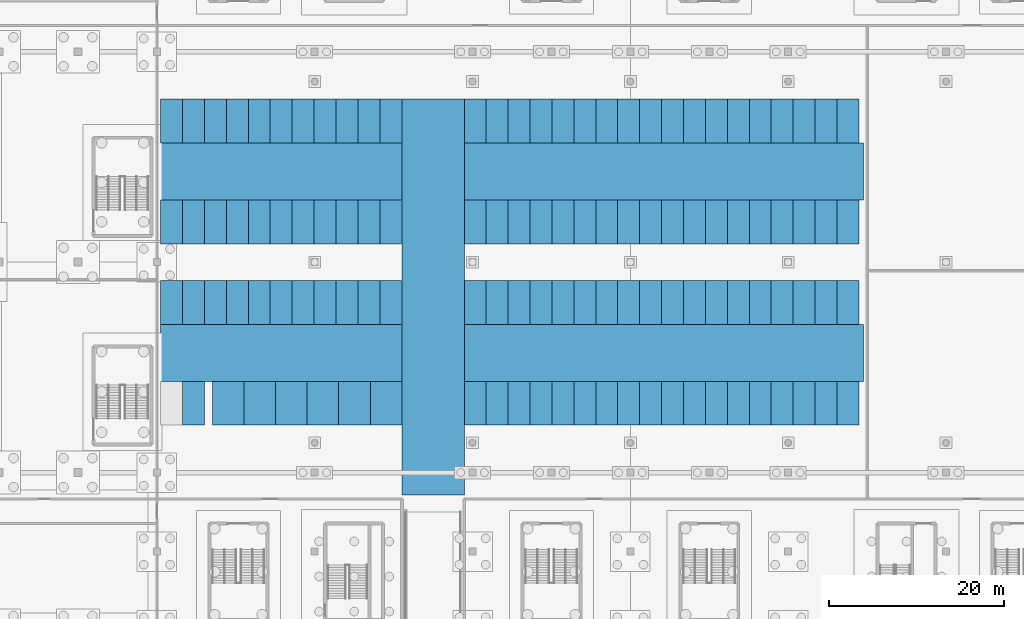
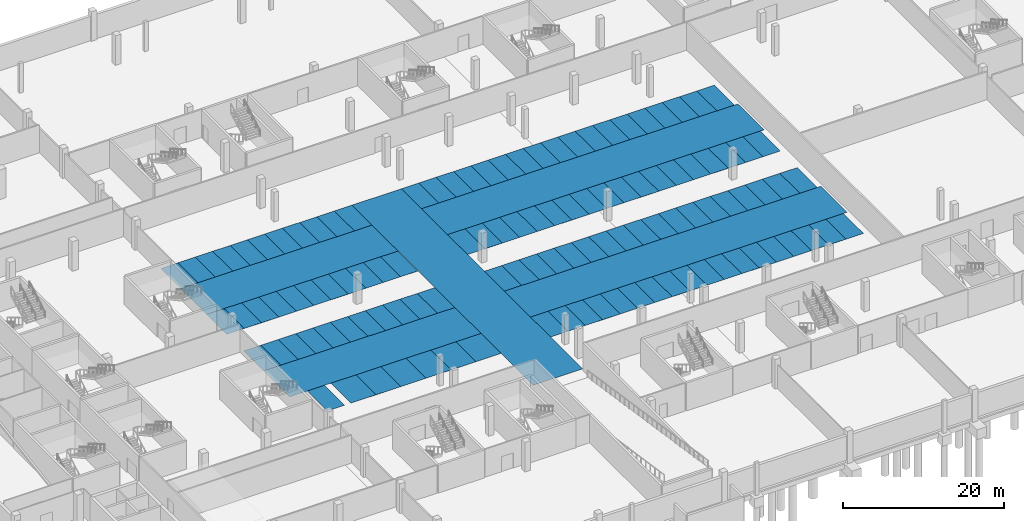
# One storey, part 27 of 46: 117 discrete accessories.
"""IFC4 building model written with IfcOpenShell, lengths in metres."""

from ifc_helpers import new_model, si_unit, direction, frame, origin, origin_2d, place, context, subcontext, project, spatial, rectangle, extrude, material, layer, layer_set, type_object, element, save


model = new_model("IFC4")

# Units and contexts
model_context = context("Model", 3, precision=1e-05, world=origin(), true_north=direction((0.0, 1.0)))
body_context = subcontext(model_context, "Body", "Model", "MODEL_VIEW")
ifc_project = project(units=[si_unit("LENGTHUNIT", "METRE"), si_unit("AREAUNIT", "SQUARE_METRE"), si_unit("VOLUMEUNIT", "CUBIC_METRE"), si_unit("PLANEANGLEUNIT", "RADIAN"), si_unit("MASSUNIT", "GRAM", prefix="KILO")], contexts=[model_context])

# Site, building, storey
site_placement = place(None, origin())
site = spatial("IfcSite", under=ifc_project, at=site_placement, CompositionType="ELEMENT")
building_placement = place(site_placement, origin())
building = spatial("IfcBuilding", under=site, at=building_placement, Name="Kisiwana Market Hall", CompositionType="ELEMENT")
storey_placement = place(building_placement, frame((0.0, 0.0, -4.5)))
storey = spatial("IfcBuildingStorey", under=building, at=storey_placement, Name="B1", CompositionType="ELEMENT", Elevation=-4.5)

# Discrete accessories
ifc_material_1 = material(Name="Road marking paint")
ifc_layer_1 = layer(ifc_material_1, 0.0048828125)
ifc_layer_set_1 = layer_set([ifc_layer_1], Name="ACC-PARK-AISLE")
discrete_accessory_type_1 = type_object("IfcDiscreteAccessoryType", Name="ACC-PARK-AISLE", PredefinedType="USERDEFINED", material=ifc_layer_set_1)
discrete_accessory_1_placement = place(storey_placement, frame((59.179931640625, 49.66259765625, 0.0), z_axis=(0.0, 0.0, 1.0), x_axis=(1.0, 0.0, 0.0)))
element("IfcDiscreteAccessory", 1, at=discrete_accessory_1_placement, inside=storey, type_object=discrete_accessory_type_1, Name="Car park drive aisle 01", ObjectType="Car park drive aisle", PredefinedType="USERDEFINED", context=body_context, shape_type="SweptSolid", body=[
    extrude(rectangle(XDim=27.52001953125, YDim=6.5, at=origin_2d()), origin(), (0.0, 0.0, 1.0), 0.0048828125),
])
discrete_accessory_2_placement = place(storey_placement, frame((102.820068359375, 49.66259765625, 0.0), z_axis=(0.0, 0.0, 1.0), x_axis=(1.0, 0.0, 0.0)))
element("IfcDiscreteAccessory", 2, at=discrete_accessory_2_placement, inside=storey, type_object=discrete_accessory_type_1, Name="Car park drive aisle 02", ObjectType="Car park drive aisle", PredefinedType="USERDEFINED", context=body_context, shape_type="SweptSolid", body=[
    extrude(rectangle(XDim=45.52001953125, YDim=6.5, at=origin_2d()), origin(), (0.0, 0.0, 1.0), 0.0048828125),
])
discrete_accessory_3_placement = place(storey_placement, frame((59.179931640625, 70.33740234375, 0.0), z_axis=(0.0, 0.0, 1.0), x_axis=(1.0, 0.0, 0.0)))
element("IfcDiscreteAccessory", 3, at=discrete_accessory_3_placement, inside=storey, type_object=discrete_accessory_type_1, Name="Car park drive aisle 03", ObjectType="Car park drive aisle", PredefinedType="USERDEFINED", context=body_context, shape_type="SweptSolid", body=[
    extrude(rectangle(XDim=27.52001953125, YDim=6.5, at=origin_2d()), origin(), (0.0, 0.0, 1.0), 0.0048828125),
])
discrete_accessory_4_placement = place(storey_placement, frame((102.820068359375, 70.33740234375, 0.0), z_axis=(0.0, 0.0, 1.0), x_axis=(1.0, 0.0, 0.0)))
element("IfcDiscreteAccessory", 4, at=discrete_accessory_4_placement, inside=storey, type_object=discrete_accessory_type_1, Name="Car park drive aisle 04", ObjectType="Car park drive aisle", PredefinedType="USERDEFINED", context=body_context, shape_type="SweptSolid", body=[
    extrude(rectangle(XDim=45.52001953125, YDim=6.5, at=origin_2d()), origin(), (0.0, 0.0, 1.0), 0.0048828125),
])
discrete_accessory_5_placement = place(storey_placement, frame((76.5, 56.003662109375, 0.0), z_axis=(0.0, 0.0, 1.0), x_axis=(1.0, 0.0, 0.0)))
element("IfcDiscreteAccessory", 5, at=discrete_accessory_5_placement, inside=storey, type_object=discrete_accessory_type_1, Name="Car park drive aisle 05", ObjectType="Car park drive aisle", PredefinedType="USERDEFINED", context=body_context, shape_type="SweptSolid", body=[
    extrude(rectangle(XDim=7.1201171875, YDim=45.16748046875, at=origin_2d()), origin(), (0.0, 0.0, 1.0), 0.0048828125),
])
ifc_material_2 = material(Name="Road marking paint")
ifc_layer_2 = layer(ifc_material_2, 0.0048828125)
ifc_layer_set_2 = layer_set([ifc_layer_2], Name="ACC-PARK-MARK")
discrete_accessory_type_2 = type_object("IfcDiscreteAccessoryType", Name="ACC-PARK-MARK", PredefinedType="USERDEFINED", material=ifc_layer_set_2)
for number, where, z_axis, x_axis, name in (
    (6, (53.139892578125, 43.91259765625, 0.0), (0.0, 0.0, 1.0), (1.0, 0.0, 0.0), "Accessible parking bay marking 01"),
    (7, (56.739990234375, 43.91259765625, 0.0), (0.0, 0.0, 1.0), (1.0, 0.0, 0.0), "Accessible parking bay marking 02"),
    (8, (60.340087890625, 43.91259765625, 0.0), (0.0, 0.0, 1.0), (1.0, 0.0, 0.0), "Accessible parking bay marking 03"),
    (9, (63.93994140625, 43.91259765625, 0.0), (0.0, 0.0, 1.0), (1.0, 0.0, 0.0), "Accessible parking bay marking 04"),
    (10, (67.5400390625, 43.91259765625, 0.0), (0.0, 0.0, 1.0), (1.0, 0.0, 0.0), "Accessible parking bay marking 05"),
    (11, (71.139892578125, 43.91259765625, 0.0), (0.0, 0.0, 1.0), (1.0, 0.0, 0.0), "Accessible parking bay marking 06"),
):
    element("IfcDiscreteAccessory", number, at=place(storey_placement, frame(where, z_axis=z_axis, x_axis=x_axis)), inside=storey, type_object=discrete_accessory_type_2, Name=name, ObjectType="Parking bay marking", PredefinedType="USERDEFINED", context=body_context, shape_type="SweptSolid", body=[
        extrude(rectangle(XDim=3.60009765625, YDim=5.0, at=origin_2d()), origin(), (0.0, 0.0, 1.0), 0.0048828125),
    ])
for number, where, z_axis, x_axis, name in (
    (12, (49.169921875, 43.91259765625, 0.0), (0.0, 0.0, 1.0), (1.0, 0.0, 0.0), "Parking bay marking 002"),
    (13, (81.31005859375, 43.91259765625, 0.0), (0.0, 0.0, 1.0), (1.0, 0.0, 0.0), "Parking bay marking 003"),
    (14, (83.81005859375, 43.91259765625, 0.0), (0.0, 0.0, 1.0), (1.0, 0.0, 0.0), "Parking bay marking 004"),
    (15, (86.31005859375, 43.91259765625, 0.0), (0.0, 0.0, 1.0), (1.0, 0.0, 0.0), "Parking bay marking 005"),
    (16, (88.81005859375, 43.91259765625, 0.0), (0.0, 0.0, 1.0), (1.0, 0.0, 0.0), "Parking bay marking 006"),
    (17, (91.31005859375, 43.91259765625, 0.0), (0.0, 0.0, 1.0), (1.0, 0.0, 0.0), "Parking bay marking 007"),
    (18, (93.81005859375, 43.91259765625, 0.0), (0.0, 0.0, 1.0), (1.0, 0.0, 0.0), "Parking bay marking 008"),
    (19, (96.31005859375, 43.91259765625, 0.0), (0.0, 0.0, 1.0), (1.0, 0.0, 0.0), "Parking bay marking 009"),
    (20, (98.81005859375, 43.91259765625, 0.0), (0.0, 0.0, 1.0), (1.0, 0.0, 0.0), "Parking bay marking 010"),
    (21, (101.31005859375, 43.91259765625, 0.0), (0.0, 0.0, 1.0), (1.0, 0.0, 0.0), "Parking bay marking 011"),
    (22, (103.81005859375, 43.91259765625, 0.0), (0.0, 0.0, 1.0), (1.0, 0.0, 0.0), "Parking bay marking 012"),
    (23, (106.31005859375, 43.91259765625, 0.0), (0.0, 0.0, 1.0), (1.0, 0.0, 0.0), "Parking bay marking 013"),
    (24, (108.81005859375, 43.91259765625, 0.0), (0.0, 0.0, 1.0), (1.0, 0.0, 0.0), "Parking bay marking 014"),
    (25, (111.31005859375, 43.91259765625, 0.0), (0.0, 0.0, 1.0), (1.0, 0.0, 0.0), "Parking bay marking 015"),
    (26, (113.81005859375, 43.91259765625, 0.0), (0.0, 0.0, 1.0), (1.0, 0.0, 0.0), "Parking bay marking 016"),
    (27, (116.31005859375, 43.91259765625, 0.0), (0.0, 0.0, 1.0), (1.0, 0.0, 0.0), "Parking bay marking 017"),
    (28, (118.81005859375, 43.91259765625, 0.0), (0.0, 0.0, 1.0), (1.0, 0.0, 0.0), "Parking bay marking 018"),
    (29, (121.31005859375, 43.91259765625, 0.0), (0.0, 0.0, 1.0), (1.0, 0.0, 0.0), "Parking bay marking 019"),
    (30, (123.81005859375, 43.91259765625, 0.0), (0.0, 0.0, 1.0), (1.0, 0.0, 0.0), "Parking bay marking 020"),
    (31, (46.669921875, 55.41259765625, 0.0), (0.0, 0.0, 1.0), (1.0, 0.0, 0.0), "Parking bay marking 021"),
    (32, (49.169921875, 55.41259765625, 0.0), (0.0, 0.0, 1.0), (1.0, 0.0, 0.0), "Parking bay marking 022"),
    (33, (51.669921875, 55.41259765625, 0.0), (0.0, 0.0, 1.0), (1.0, 0.0, 0.0), "Parking bay marking 023"),
    (34, (54.169921875, 55.41259765625, 0.0), (0.0, 0.0, 1.0), (1.0, 0.0, 0.0), "Parking bay marking 024"),
    (35, (56.669921875, 55.41259765625, 0.0), (0.0, 0.0, 1.0), (1.0, 0.0, 0.0), "Parking bay marking 025"),
    (36, (59.169921875, 55.41259765625, 0.0), (0.0, 0.0, 1.0), (1.0, 0.0, 0.0), "Parking bay marking 026"),
    (37, (61.669921875, 55.41259765625, 0.0), (0.0, 0.0, 1.0), (1.0, 0.0, 0.0), "Parking bay marking 027"),
    (38, (64.169921875, 55.41259765625, 0.0), (0.0, 0.0, 1.0), (1.0, 0.0, 0.0), "Parking bay marking 028"),
    (39, (66.669921875, 55.41259765625, 0.0), (0.0, 0.0, 1.0), (1.0, 0.0, 0.0), "Parking bay marking 029"),
    (40, (69.169921875, 55.41259765625, 0.0), (0.0, 0.0, 1.0), (1.0, 0.0, 0.0), "Parking bay marking 030"),
    (41, (71.669921875, 55.41259765625, 0.0), (0.0, 0.0, 1.0), (1.0, 0.0, 0.0), "Parking bay marking 031"),
    (42, (81.31005859375, 55.41259765625, 0.0), (0.0, 0.0, 1.0), (1.0, 0.0, 0.0), "Parking bay marking 032"),
    (43, (83.81005859375, 55.41259765625, 0.0), (0.0, 0.0, 1.0), (1.0, 0.0, 0.0), "Parking bay marking 033"),
    (44, (86.31005859375, 55.41259765625, 0.0), (0.0, 0.0, 1.0), (1.0, 0.0, 0.0), "Parking bay marking 034"),
    (45, (88.81005859375, 55.41259765625, 0.0), (0.0, 0.0, 1.0), (1.0, 0.0, 0.0), "Parking bay marking 035"),
    (46, (91.31005859375, 55.41259765625, 0.0), (0.0, 0.0, 1.0), (1.0, 0.0, 0.0), "Parking bay marking 036"),
    (47, (93.81005859375, 55.41259765625, 0.0), (0.0, 0.0, 1.0), (1.0, 0.0, 0.0), "Parking bay marking 037"),
    (48, (96.31005859375, 55.41259765625, 0.0), (0.0, 0.0, 1.0), (1.0, 0.0, 0.0), "Parking bay marking 038"),
    (49, (98.81005859375, 55.41259765625, 0.0), (0.0, 0.0, 1.0), (1.0, 0.0, 0.0), "Parking bay marking 039"),
    (50, (101.31005859375, 55.41259765625, 0.0), (0.0, 0.0, 1.0), (1.0, 0.0, 0.0), "Parking bay marking 040"),
    (51, (103.81005859375, 55.41259765625, 0.0), (0.0, 0.0, 1.0), (1.0, 0.0, 0.0), "Parking bay marking 041"),
    (52, (106.31005859375, 55.41259765625, 0.0), (0.0, 0.0, 1.0), (1.0, 0.0, 0.0), "Parking bay marking 042"),
    (53, (108.81005859375, 55.41259765625, 0.0), (0.0, 0.0, 1.0), (1.0, 0.0, 0.0), "Parking bay marking 043"),
    (54, (111.31005859375, 55.41259765625, 0.0), (0.0, 0.0, 1.0), (1.0, 0.0, 0.0), "Parking bay marking 044"),
    (55, (113.81005859375, 55.41259765625, 0.0), (0.0, 0.0, 1.0), (1.0, 0.0, 0.0), "Parking bay marking 045"),
    (56, (116.31005859375, 55.41259765625, 0.0), (0.0, 0.0, 1.0), (1.0, 0.0, 0.0), "Parking bay marking 046"),
    (57, (118.81005859375, 55.41259765625, 0.0), (0.0, 0.0, 1.0), (1.0, 0.0, 0.0), "Parking bay marking 047"),
    (58, (121.31005859375, 55.41259765625, 0.0), (0.0, 0.0, 1.0), (1.0, 0.0, 0.0), "Parking bay marking 048"),
    (59, (123.81005859375, 55.41259765625, 0.0), (0.0, 0.0, 1.0), (1.0, 0.0, 0.0), "Parking bay marking 049"),
    (60, (46.669921875, 64.58740234375, 0.0), (0.0, 0.0, 1.0), (1.0, 0.0, 0.0), "Parking bay marking 050"),
    (61, (49.169921875, 64.58740234375, 0.0), (0.0, 0.0, 1.0), (1.0, 0.0, 0.0), "Parking bay marking 051"),
    (62, (51.669921875, 64.58740234375, 0.0), (0.0, 0.0, 1.0), (1.0, 0.0, 0.0), "Parking bay marking 052"),
    (63, (54.169921875, 64.58740234375, 0.0), (0.0, 0.0, 1.0), (1.0, 0.0, 0.0), "Parking bay marking 053"),
    (64, (56.669921875, 64.58740234375, 0.0), (0.0, 0.0, 1.0), (1.0, 0.0, 0.0), "Parking bay marking 054"),
    (65, (59.169921875, 64.58740234375, 0.0), (0.0, 0.0, 1.0), (1.0, 0.0, 0.0), "Parking bay marking 055"),
    (66, (61.669921875, 64.58740234375, 0.0), (0.0, 0.0, 1.0), (1.0, 0.0, 0.0), "Parking bay marking 056"),
    (67, (64.169921875, 64.58740234375, 0.0), (0.0, 0.0, 1.0), (1.0, 0.0, 0.0), "Parking bay marking 057"),
    (68, (66.669921875, 64.58740234375, 0.0), (0.0, 0.0, 1.0), (1.0, 0.0, 0.0), "Parking bay marking 058"),
    (69, (69.169921875, 64.58740234375, 0.0), (0.0, 0.0, 1.0), (1.0, 0.0, 0.0), "Parking bay marking 059"),
    (70, (71.669921875, 64.58740234375, 0.0), (0.0, 0.0, 1.0), (1.0, 0.0, 0.0), "Parking bay marking 060"),
    (71, (81.31005859375, 64.58740234375, 0.0), (0.0, 0.0, 1.0), (1.0, 0.0, 0.0), "Parking bay marking 061"),
    (72, (83.81005859375, 64.58740234375, 0.0), (0.0, 0.0, 1.0), (1.0, 0.0, 0.0), "Parking bay marking 062"),
    (73, (86.31005859375, 64.58740234375, 0.0), (0.0, 0.0, 1.0), (1.0, 0.0, 0.0), "Parking bay marking 063"),
    (74, (88.81005859375, 64.58740234375, 0.0), (0.0, 0.0, 1.0), (1.0, 0.0, 0.0), "Parking bay marking 064"),
    (75, (91.31005859375, 64.58740234375, 0.0), (0.0, 0.0, 1.0), (1.0, 0.0, 0.0), "Parking bay marking 065"),
    (76, (93.81005859375, 64.58740234375, 0.0), (0.0, 0.0, 1.0), (1.0, 0.0, 0.0), "Parking bay marking 066"),
    (77, (96.31005859375, 64.58740234375, 0.0), (0.0, 0.0, 1.0), (1.0, 0.0, 0.0), "Parking bay marking 067"),
    (78, (98.81005859375, 64.58740234375, 0.0), (0.0, 0.0, 1.0), (1.0, 0.0, 0.0), "Parking bay marking 068"),
    (79, (101.31005859375, 64.58740234375, 0.0), (0.0, 0.0, 1.0), (1.0, 0.0, 0.0), "Parking bay marking 069"),
    (80, (103.81005859375, 64.58740234375, 0.0), (0.0, 0.0, 1.0), (1.0, 0.0, 0.0), "Parking bay marking 070"),
    (81, (106.31005859375, 64.58740234375, 0.0), (0.0, 0.0, 1.0), (1.0, 0.0, 0.0), "Parking bay marking 071"),
    (82, (108.81005859375, 64.58740234375, 0.0), (0.0, 0.0, 1.0), (1.0, 0.0, 0.0), "Parking bay marking 072"),
    (83, (111.31005859375, 64.58740234375, 0.0), (0.0, 0.0, 1.0), (1.0, 0.0, 0.0), "Parking bay marking 073"),
    (84, (113.81005859375, 64.58740234375, 0.0), (0.0, 0.0, 1.0), (1.0, 0.0, 0.0), "Parking bay marking 074"),
    (85, (116.31005859375, 64.58740234375, 0.0), (0.0, 0.0, 1.0), (1.0, 0.0, 0.0), "Parking bay marking 075"),
    (86, (118.81005859375, 64.58740234375, 0.0), (0.0, 0.0, 1.0), (1.0, 0.0, 0.0), "Parking bay marking 076"),
    (87, (121.31005859375, 64.58740234375, 0.0), (0.0, 0.0, 1.0), (1.0, 0.0, 0.0), "Parking bay marking 077"),
    (88, (123.81005859375, 64.58740234375, 0.0), (0.0, 0.0, 1.0), (1.0, 0.0, 0.0), "Parking bay marking 078"),
    (89, (46.669921875, 76.08740234375, 0.0), (0.0, 0.0, 1.0), (1.0, 0.0, 0.0), "Parking bay marking 079"),
    (90, (49.169921875, 76.08740234375, 0.0), (0.0, 0.0, 1.0), (1.0, 0.0, 0.0), "Parking bay marking 080"),
    (91, (51.669921875, 76.08740234375, 0.0), (0.0, 0.0, 1.0), (1.0, 0.0, 0.0), "Parking bay marking 081"),
    (92, (54.169921875, 76.08740234375, 0.0), (0.0, 0.0, 1.0), (1.0, 0.0, 0.0), "Parking bay marking 082"),
    (93, (56.669921875, 76.08740234375, 0.0), (0.0, 0.0, 1.0), (1.0, 0.0, 0.0), "Parking bay marking 083"),
    (94, (59.169921875, 76.08740234375, 0.0), (0.0, 0.0, 1.0), (1.0, 0.0, 0.0), "Parking bay marking 084"),
    (95, (61.669921875, 76.08740234375, 0.0), (0.0, 0.0, 1.0), (1.0, 0.0, 0.0), "Parking bay marking 085"),
    (96, (64.169921875, 76.08740234375, 0.0), (0.0, 0.0, 1.0), (1.0, 0.0, 0.0), "Parking bay marking 086"),
    (97, (66.669921875, 76.08740234375, 0.0), (0.0, 0.0, 1.0), (1.0, 0.0, 0.0), "Parking bay marking 087"),
    (98, (69.169921875, 76.08740234375, 0.0), (0.0, 0.0, 1.0), (1.0, 0.0, 0.0), "Parking bay marking 088"),
    (99, (71.669921875, 76.08740234375, 0.0), (0.0, 0.0, 1.0), (1.0, 0.0, 0.0), "Parking bay marking 089"),
    (100, (81.31005859375, 76.08740234375, 0.0), (0.0, 0.0, 1.0), (1.0, 0.0, 0.0), "Parking bay marking 090"),
    (101, (83.81005859375, 76.08740234375, 0.0), (0.0, 0.0, 1.0), (1.0, 0.0, 0.0), "Parking bay marking 091"),
    (102, (86.31005859375, 76.08740234375, 0.0), (0.0, 0.0, 1.0), (1.0, 0.0, 0.0), "Parking bay marking 092"),
    (103, (88.81005859375, 76.08740234375, 0.0), (0.0, 0.0, 1.0), (1.0, 0.0, 0.0), "Parking bay marking 093"),
    (104, (91.31005859375, 76.08740234375, 0.0), (0.0, 0.0, 1.0), (1.0, 0.0, 0.0), "Parking bay marking 094"),
    (105, (93.81005859375, 76.08740234375, 0.0), (0.0, 0.0, 1.0), (1.0, 0.0, 0.0), "Parking bay marking 095"),
    (106, (96.31005859375, 76.08740234375, 0.0), (0.0, 0.0, 1.0), (1.0, 0.0, 0.0), "Parking bay marking 096"),
    (107, (98.81005859375, 76.08740234375, 0.0), (0.0, 0.0, 1.0), (1.0, 0.0, 0.0), "Parking bay marking 097"),
    (108, (101.31005859375, 76.08740234375, 0.0), (0.0, 0.0, 1.0), (1.0, 0.0, 0.0), "Parking bay marking 098"),
    (109, (103.81005859375, 76.08740234375, 0.0), (0.0, 0.0, 1.0), (1.0, 0.0, 0.0), "Parking bay marking 099"),
    (110, (106.31005859375, 76.08740234375, 0.0), (0.0, 0.0, 1.0), (1.0, 0.0, 0.0), "Parking bay marking 100"),
    (111, (108.81005859375, 76.08740234375, 0.0), (0.0, 0.0, 1.0), (1.0, 0.0, 0.0), "Parking bay marking 101"),
    (112, (111.31005859375, 76.08740234375, 0.0), (0.0, 0.0, 1.0), (1.0, 0.0, 0.0), "Parking bay marking 102"),
    (113, (113.81005859375, 76.08740234375, 0.0), (0.0, 0.0, 1.0), (1.0, 0.0, 0.0), "Parking bay marking 103"),
    (114, (116.31005859375, 76.08740234375, 0.0), (0.0, 0.0, 1.0), (1.0, 0.0, 0.0), "Parking bay marking 104"),
    (115, (118.81005859375, 76.08740234375, 0.0), (0.0, 0.0, 1.0), (1.0, 0.0, 0.0), "Parking bay marking 105"),
    (116, (121.31005859375, 76.08740234375, 0.0), (0.0, 0.0, 1.0), (1.0, 0.0, 0.0), "Parking bay marking 106"),
    (117, (123.81005859375, 76.08740234375, 0.0), (0.0, 0.0, 1.0), (1.0, 0.0, 0.0), "Parking bay marking 107"),
):
    element("IfcDiscreteAccessory", number, at=place(storey_placement, frame(where, z_axis=z_axis, x_axis=x_axis)), inside=storey, type_object=discrete_accessory_type_2, Name=name, ObjectType="Parking bay marking", PredefinedType="USERDEFINED", context=body_context, shape_type="SweptSolid", body=[
        extrude(rectangle(XDim=2.5, YDim=5.0, at=origin_2d()), origin(), (0.0, 0.0, 1.0), 0.0048828125),
    ])

save(model, "model.ifc")
